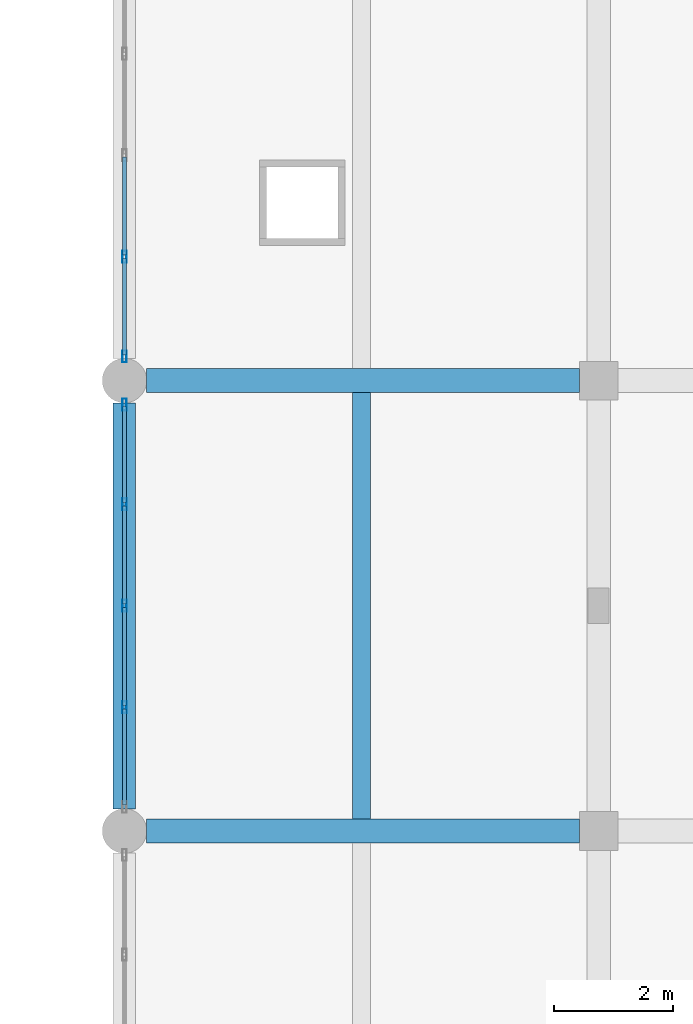
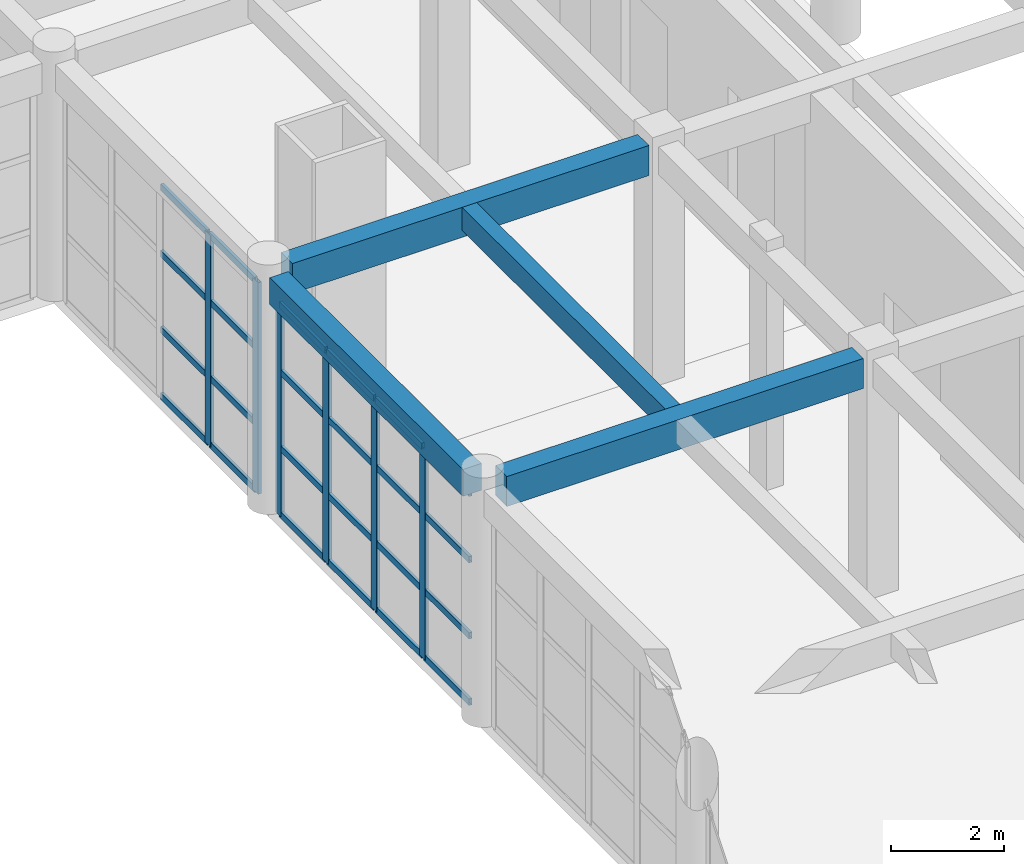
# One storey, part 52 of 95: 30 members, 4 beams, 2 elements without a shape of their own.
"""IFC4 building model written with IfcOpenShell, lengths in metres."""

import ifcopenshell
import ifcopenshell.guid

model = None  # the IFC model being written
_history = None  # IfcOwnerHistory: only IFC2X3 demands one
_inside = {}  # id of a spatial element -> (the spatial element, [elements in it])
_under = {}  # id of a project, library or spatial element -> (it, [spatial elements below it])
_declared = {}  # id of a project -> (the project, [libraries it declares])
_typed = {}  # id of a type object -> (the type object, [elements of that type])
_made_of = {}  # id of a material, layer set ... -> (it, [elements and type objects made of it])


def new_model(schema):
    """Start an empty IFC model of exactly this schema.

    Asked for "IFC4X3", IfcOpenShell would pick the latest addendum, in which some entities
    have other attributes; the version numbers below select the first issue.
    IFC2X3 requires an IfcOwnerHistory on every rooted entity: one is made here for all.
    """
    global model, _history
    if schema == "IFC4X3":
        model = ifcopenshell.file(schema_version=(4, 3, 0, 0))
    else:
        model = ifcopenshell.file(schema=schema)
    _inside.clear()
    _under.clear()
    _declared.clear()
    _typed.clear()
    _made_of.clear()
    _history = None
    if model.schema == "IFC2X3":
        org = make("IfcOrganization", Name="unknown")
        user = make(
            "IfcPersonAndOrganization",
            ThePerson=make("IfcPerson", FamilyName="unknown"),
            TheOrganization=org,
        )
        app = make(
            "IfcApplication",
            ApplicationDeveloper=org,
            Version="unknown",
            ApplicationFullName="unknown",
            ApplicationIdentifier="unknown",
        )
        _history = make(
            "IfcOwnerHistory",
            OwningUser=user,
            OwningApplication=app,
            ChangeAction="ADDED",
            CreationDate=0,
        )
    return model


def make(cls, **values):
    """One entity of the class cls with the attributes given. An attribute that is None is left unset."""
    return model.create_entity(
        cls, **{name: value for name, value in values.items() if value is not None}
    )


def rooted(cls, **values):
    """An entity with a GlobalId (a new one), such as an element, a storey or a relation."""
    return make(cls, GlobalId=ifcopenshell.guid.new(), OwnerHistory=_history, **values)


def si_unit(unit_type, name, prefix=None):
    """IfcSIUnit, for example si_unit("LENGTHUNIT", "METRE", prefix="MILLI")."""
    return make("IfcSIUnit", UnitType=unit_type, Prefix=prefix, Name=name)


def assignment(units):
    """IfcUnitAssignment: the units of a project."""
    return None if units is None else make("IfcUnitAssignment", Units=units)


def point(xyz):
    """IfcCartesianPoint."""
    return None if xyz is None else make("IfcCartesianPoint", Coordinates=xyz)


def direction(xyz):
    """IfcDirection."""
    return None if xyz is None else make("IfcDirection", DirectionRatios=xyz)


def frame(location, z_axis=None, x_axis=None):
    """IfcAxis2Placement3D, a coordinate frame: its origin and axes. An axis left out is left unset."""
    return make(
        "IfcAxis2Placement3D",
        Location=point(location),
        Axis=direction(z_axis),
        RefDirection=direction(x_axis),
    )


def frame_2d(location, x_axis=None):
    """IfcAxis2Placement2D, a coordinate frame in the plane: its origin and x axis."""
    return make(
        "IfcAxis2Placement2D", Location=point(location), RefDirection=direction(x_axis)
    )


def origin():
    """The frame at (0, 0, 0) with its axes left unset."""
    return frame((0.0, 0.0, 0.0))


def origin_2d():
    """The frame at (0, 0) in the plane with its x axis left unset."""
    return frame_2d((0.0, 0.0))


def place(relative_to, where):
    """IfcLocalPlacement: puts the frame where relative to a parent placement (None: the world)."""
    return make(
        "IfcLocalPlacement", PlacementRelTo=relative_to, RelativePlacement=where
    )


def context(
    kind, dimensions, precision=None, world=None, true_north=None, identifier=None
):
    """IfcGeometricRepresentationContext, for example the 3D "Model" context."""
    return make(
        "IfcGeometricRepresentationContext",
        ContextIdentifier=identifier,
        ContextType=kind,
        CoordinateSpaceDimension=dimensions,
        Precision=precision,
        WorldCoordinateSystem=world,
        TrueNorth=true_north,
    )


def subcontext(parent, identifier, kind, view, scale=None):
    """IfcGeometricRepresentationSubContext, for example "Body" below "Model"."""
    return make(
        "IfcGeometricRepresentationSubContext",
        ContextIdentifier=identifier,
        ContextType=kind,
        ParentContext=parent,
        TargetScale=scale,
        TargetView=view,
    )


def project(units=None, contexts=None):
    """IfcProject with its units and contexts."""
    return rooted(
        "IfcProject",
        Name="project",
        RepresentationContexts=contexts,
        UnitsInContext=assignment(units),
    )


def spatial(cls, under=None, at=None, **own):
    """A site, building, storey or space (cls), placed at a placement, below another one or the project."""
    s = rooted(cls, ObjectPlacement=at, **own)
    if under is not None:
        _under.setdefault(under.id(), (under, []))[1].append(s)
    return s


def profile(cls, at=None, kind="AREA", **sizes):
    """A parametric profile (cls). Its sizes go by their IFC names, for example OverallWidth=200.0."""
    return make(cls, ProfileType=kind, Position=at, **sizes)


def rectangle(**sizes):
    """IfcRectangleProfileDef."""
    return profile("IfcRectangleProfileDef", **sizes)


def hollow_rectangle(**sizes):
    """IfcRectangleHollowProfileDef."""
    return profile("IfcRectangleHollowProfileDef", **sizes)


def extrude(swept, where, along, depth):
    """IfcExtrudedAreaSolid: the profile swept, set in the frame where, extruded along a direction by depth."""
    return make(
        "IfcExtrudedAreaSolid",
        SweptArea=swept,
        Position=where,
        ExtrudedDirection=direction(along),
        Depth=depth,
    )


def shape(context_of_items, identifier, shape_type, items):
    """IfcShapeRepresentation: the items that make up one representation, for example the "Body"."""
    return make(
        "IfcShapeRepresentation",
        ContextOfItems=context_of_items,
        RepresentationIdentifier=identifier,
        RepresentationType=shape_type,
        Items=items,
    )


def material(Name=None, Category=None):
    """IfcMaterial."""
    return make("IfcMaterial", Name=Name, Category=Category)


def material_profile(
    of_material, cross_section, Name=None, Category=None, Priority=None
):
    """IfcMaterialProfile: a cross section and its material."""
    return make(
        "IfcMaterialProfile",
        Name=Name,
        Material=of_material,
        Profile=cross_section,
        Priority=Priority,
        Category=Category,
    )


def profile_set(profiles, Name=None, composite=None):
    """IfcMaterialProfileSet."""
    return make(
        "IfcMaterialProfileSet",
        Name=Name,
        MaterialProfiles=profiles,
        CompositeProfile=composite,
    )


def made_of(thing, what):
    """Note that an element or type object is made of a material, layer set ...; save() writes the relation."""
    if what is not None:
        _made_of.setdefault(what.id(), (what, []))[1].append(thing)
    return thing


def type_object(cls, material=None, **own):
    """A type object (cls), such as IfcWallType, which elements share."""
    return made_of(rooted(cls, **own), material)


def element(
    cls,
    number,
    at=None,
    inside=None,
    cuts=None,
    type_object=None,
    material=None,
    context=None,
    identifier="Body",
    shape_type=None,
    held_by="IfcProductDefinitionShape",
    body=None,
    shapes=None,
    **own,
):
    """One element of the class cls, such as IfcWall. Its Tag is "e" and its number.

    at: its placement. inside: the storey or other place that contains it. cuts: it is an
    opening in that element (IfcRelVoidsElement). A single representation is given by context,
    identifier, shape_type and body (its items); several are given by shapes. held_by: the class
    of the entity that holds the representations. save() writes the other relations.
    """
    e = rooted(cls, Tag="e%d" % number, ObjectPlacement=at, **own)
    if body is not None:
        shapes = [shape(context, identifier, shape_type, body)]
    if shapes is not None:
        e.Representation = make(held_by, Representations=shapes)
    if inside is not None:
        _inside.setdefault(inside.id(), (inside, []))[1].append(e)
    if cuts is not None:
        rooted(
            "IfcRelVoidsElement", RelatingBuildingElement=cuts, RelatedOpeningElement=e
        )
    if type_object is not None:
        _typed.setdefault(type_object.id(), (type_object, []))[1].append(e)
    return made_of(e, material)


def aggregate(whole, parts):
    """IfcRelAggregates: a whole, such as a stair, and the parts it consists of."""
    return rooted("IfcRelAggregates", RelatingObject=whole, RelatedObjects=parts)


def save(model, path):
    """Write the relations noted so far, then the file.

    IfcRelAggregates (storeys below a building ...), IfcRelContainedInSpatialStructure (elements
    in a storey), IfcRelDefinesByType, IfcRelAssociatesMaterial and IfcRelDeclares: one each for
    every whole, place, type object, material and project.
    """
    for whole, parts in _under.values():
        aggregate(whole, parts)
    for where, things in _inside.values():
        rooted(
            "IfcRelContainedInSpatialStructure",
            RelatedElements=things,
            RelatingStructure=where,
        )
    for kind, things in _typed.values():
        rooted("IfcRelDefinesByType", RelatedObjects=things, RelatingType=kind)
    for what, things in _made_of.values():
        rooted("IfcRelAssociatesMaterial", RelatedObjects=things, RelatingMaterial=what)
    for by, libraries in _declared.values():
        rooted("IfcRelDeclares", RelatingContext=by, RelatedDefinitions=libraries)
    model.write(path)


model = new_model("IFC4")

# Units and contexts
model_context = context("Model", 3, precision=1e-05, world=origin(), true_north=direction((0.0, 1.0)))
body_context = subcontext(model_context, "Body", "Model", "MODEL_VIEW")
ifc_project = project(units=[si_unit("LENGTHUNIT", "METRE"), si_unit("AREAUNIT", "SQUARE_METRE"), si_unit("VOLUMEUNIT", "CUBIC_METRE"), si_unit("PLANEANGLEUNIT", "RADIAN"), si_unit("MASSUNIT", "GRAM", prefix="KILO")], contexts=[model_context])

# Site, building, storey
site_placement = place(None, origin())
site = spatial("IfcSite", under=ifc_project, at=site_placement, CompositionType="ELEMENT")
building_placement = place(site_placement, origin())
building = spatial("IfcBuilding", under=site, at=building_placement, Name="Zantavel Square City Hall", CompositionType="ELEMENT")
storey_placement = place(building_placement, origin())
storey = spatial("IfcBuildingStorey", under=building, at=storey_placement, Name="L01", CompositionType="ELEMENT", Elevation=0.0)

# Beam
ifc_material_1 = material(Name="Concrete C35/45", Category="concrete")
ifc_material_profile_1 = material_profile(ifc_material_1, rectangle(XDim=0.3798828125, YDim=0.580078125, at=origin_2d()), Name="RC 380x580")
ifc_profile_set_1 = profile_set([ifc_material_profile_1], Name="Concrete C35/45")
beam_type_1 = type_object("IfcBeamType", Name="Annex Secondary Beam RC 380x580 C35/45", PredefinedType="BEAM", material=ifc_profile_set_1)
beam_1_placement = place(storey_placement, frame((152.0, 53.574951171875, 4.8701171875), z_axis=(0.0, 1.0, 0.0), x_axis=(-1.0, 0.0, 0.0)))
element("IfcBeam", 1, at=beam_1_placement, inside=storey, type_object=beam_type_1, Name="L01 Beam BMY-L01-1520-0532", PredefinedType="BEAM", context=body_context, shape_type="SweptSolid", body=[
    extrude(rectangle(XDim=0.3798828125, YDim=0.580078125, at=origin_2d()), origin(), (0.0, 0.0, 1.0), 6.85009765625),
])

# Curtain wall, members
ifc_material_2 = material(Name="Anodised aluminium 6063-T6", Category="aluminium")
curtain_wall_type = type_object("IfcCurtainWallType", Name="Curtain Wall CRT 6850x4580", PredefinedType="USERDEFINED", material=ifc_material_2)
curtain_wall_1_placement = place(storey_placement, origin())
curtain_wall_1 = element("IfcCurtainWall", 2, at=curtain_wall_1_placement, inside=storey, type_object=curtain_wall_type, Name="L01 Glazed Curtain Wall CW-L01-033", ObjectType="GLAZED CURTAIN WALL", PredefinedType="USERDEFINED")
ifc_material_profile_2 = material_profile(ifc_material_2, hollow_rectangle(XDim=0.070068359375, YDim=0.199951171875, WallThickness=0.00439453125, at=origin_2d()), Name="ALU 70x200x4.5")
ifc_profile_set_2 = profile_set([ifc_material_profile_2], Name="Anodised aluminium 6063-T6")
member_type_1 = type_object("IfcMemberType", Name="CW Heavy Hall Mullion ALU 70x200x4.5", PredefinedType="MULLION", material=ifc_profile_set_2)
member_1_placement = place(storey_placement, frame((152.0, 55.28759765625, 0.0), z_axis=(0.0, 0.0, 1.0), x_axis=(-1.0, 0.0, 0.0)))
member_1 = element("IfcMember", 3, at=member_1_placement, type_object=member_type_1, Name="CW-033 mullion 2", PredefinedType="MULLION", context=body_context, shape_type="SweptSolid", body=[
    extrude(hollow_rectangle(XDim=0.070068359375, YDim=0.199951171875, WallThickness=0.00439453125, at=origin_2d()), origin(), (0.0, 0.0, 1.0), 4.580078125),
])
member_2_placement = place(storey_placement, frame((152.0, 57.0, 0.0), z_axis=(0.0, 0.0, 1.0), x_axis=(-1.0, 0.0, 0.0)))
member_2 = element("IfcMember", 4, at=member_2_placement, type_object=member_type_1, Name="CW-033 mullion 3", PredefinedType="MULLION", context=body_context, shape_type="SweptSolid", body=[
    extrude(hollow_rectangle(XDim=0.070068359375, YDim=0.199951171875, WallThickness=0.00439453125, at=origin_2d()), origin(), (0.0, 0.0, 1.0), 4.580078125),
])
member_3_placement = place(storey_placement, frame((152.0, 58.71240234375, 0.0), z_axis=(0.0, 0.0, 1.0), x_axis=(-1.0, 0.0, 0.0)))
member_3 = element("IfcMember", 5, at=member_3_placement, type_object=member_type_1, Name="CW-033 mullion 4", PredefinedType="MULLION", context=body_context, shape_type="SweptSolid", body=[
    extrude(hollow_rectangle(XDim=0.070068359375, YDim=0.199951171875, WallThickness=0.00439453125, at=origin_2d()), origin(), (0.0, 0.0, 1.0), 4.580078125),
])
member_4_placement = place(storey_placement, frame((152.0, 60.39501953125, 0.0), z_axis=(0.0, 0.0, 1.0), x_axis=(-1.0, 0.0, 0.0)))
member_4 = element("IfcMember", 6, at=member_4_placement, type_object=member_type_1, Name="CW-033 mullion 5", PredefinedType="MULLION", context=body_context, shape_type="SweptSolid", body=[
    extrude(hollow_rectangle(XDim=0.070068359375, YDim=0.199951171875, WallThickness=0.00439453125, at=origin_2d()), origin(), (0.0, 0.0, 1.0), 4.580078125),
])

curtain_wall_2_placement = place(storey_placement, origin())
curtain_wall_2 = element("IfcCurtainWall", 7, at=curtain_wall_2_placement, inside=storey, type_object=curtain_wall_type, Name="L01 Glazed Curtain Wall CW-L01-034", ObjectType="GLAZED CURTAIN WALL", PredefinedType="USERDEFINED")
member_5_placement = place(storey_placement, frame((152.0, 61.205078125, 0.0), z_axis=(0.0, 0.0, 1.0), x_axis=(-1.0, 0.0, 0.0)))
member_5 = element("IfcMember", 8, at=member_5_placement, type_object=member_type_1, Name="CW-034 mullion 1", PredefinedType="MULLION", context=body_context, shape_type="SweptSolid", body=[
    extrude(hollow_rectangle(XDim=0.070068359375, YDim=0.199951171875, WallThickness=0.00439453125, at=origin_2d()), origin(), (0.0, 0.0, 1.0), 4.580078125),
])
member_6_placement = place(storey_placement, frame((152.0, 62.887451171875, 0.0), z_axis=(0.0, 0.0, 1.0), x_axis=(-1.0, 0.0, 0.0)))
member_6 = element("IfcMember", 9, at=member_6_placement, type_object=member_type_1, Name="CW-034 mullion 2", PredefinedType="MULLION", context=body_context, shape_type="SweptSolid", body=[
    extrude(hollow_rectangle(XDim=0.070068359375, YDim=0.199951171875, WallThickness=0.00439453125, at=origin_2d()), origin(), (0.0, 0.0, 1.0), 4.580078125),
])

# Member
ifc_material_profile_3 = material_profile(ifc_material_2, hollow_rectangle(XDim=0.06005859375, YDim=0.139892578125, WallThickness=0.00390625, at=origin_2d()), Name="ALU 60x140x4")
ifc_profile_set_3 = profile_set([ifc_material_profile_3], Name="Anodised aluminium 6063-T6")
member_type_2 = type_object("IfcMemberType", Name="CW Transom ALU 60x140x4", PredefinedType="USERDEFINED", material=ifc_profile_set_3)
member_7_placement = place(storey_placement, frame((152.0, 53.635009765625, 0.030029296875), z_axis=(0.0, 1.0, 0.0), x_axis=(-1.0, 0.0, 0.0)))
member_7 = element("IfcMember", 10, at=member_7_placement, type_object=member_type_2, Name="CW-033 transom 1.1", ObjectType="TRANSOM", PredefinedType="USERDEFINED", context=body_context, shape_type="SweptSolid", body=[
    extrude(hollow_rectangle(XDim=0.06005859375, YDim=0.139892578125, WallThickness=0.00390625, at=origin_2d()), origin(), (0.0, 0.0, 1.0), 1.62255859375),
])

member_8_placement = place(storey_placement, frame((152.0, 53.635009765625, 1.466064453125), z_axis=(0.0, 1.0, 0.0), x_axis=(-1.0, 0.0, 0.0)))
member_8 = element("IfcMember", 11, at=member_8_placement, type_object=member_type_2, Name="CW-033 transom 1.2", ObjectType="TRANSOM", PredefinedType="USERDEFINED", context=body_context, shape_type="SweptSolid", body=[
    extrude(hollow_rectangle(XDim=0.06005859375, YDim=0.139892578125, WallThickness=0.00390625, at=origin_2d()), origin(), (0.0, 0.0, 1.0), 1.62255859375),
])

member_9_placement = place(storey_placement, frame((152.0, 53.635009765625, 3.114013671875), z_axis=(0.0, 1.0, 0.0), x_axis=(-1.0, 0.0, 0.0)))
member_9 = element("IfcMember", 12, at=member_9_placement, type_object=member_type_2, Name="CW-033 transom 1.3", ObjectType="TRANSOM", PredefinedType="USERDEFINED", context=body_context, shape_type="SweptSolid", body=[
    extrude(hollow_rectangle(XDim=0.06005859375, YDim=0.139892578125, WallThickness=0.00390625, at=origin_2d()), origin(), (0.0, 0.0, 1.0), 1.62255859375),
])

member_10_placement = place(storey_placement, frame((152.0, 53.635009765625, 4.550048828125), z_axis=(0.0, 1.0, 0.0), x_axis=(-1.0, 0.0, 0.0)))
member_10 = element("IfcMember", 13, at=member_10_placement, type_object=member_type_2, Name="CW-033 transom 1.4", ObjectType="TRANSOM", PredefinedType="USERDEFINED", context=body_context, shape_type="SweptSolid", body=[
    extrude(hollow_rectangle(XDim=0.06005859375, YDim=0.139892578125, WallThickness=0.00390625, at=origin_2d()), origin(), (0.0, 0.0, 1.0), 1.62255859375),
])

member_11_placement = place(storey_placement, frame((152.0, 55.3173828125, 0.030029296875), z_axis=(0.0, 1.0, 0.0), x_axis=(-1.0, 0.0, 0.0)))
member_11 = element("IfcMember", 14, at=member_11_placement, type_object=member_type_2, Name="CW-033 transom 2.1", ObjectType="TRANSOM", PredefinedType="USERDEFINED", context=body_context, shape_type="SweptSolid", body=[
    extrude(hollow_rectangle(XDim=0.06005859375, YDim=0.139892578125, WallThickness=0.00390625, at=origin_2d()), origin(), (0.0, 0.0, 1.0), 1.652587890625),
])

member_12_placement = place(storey_placement, frame((152.0, 55.3173828125, 1.466064453125), z_axis=(0.0, 1.0, 0.0), x_axis=(-1.0, 0.0, 0.0)))
member_12 = element("IfcMember", 15, at=member_12_placement, type_object=member_type_2, Name="CW-033 transom 2.2", ObjectType="TRANSOM", PredefinedType="USERDEFINED", context=body_context, shape_type="SweptSolid", body=[
    extrude(hollow_rectangle(XDim=0.06005859375, YDim=0.139892578125, WallThickness=0.00390625, at=origin_2d()), origin(), (0.0, 0.0, 1.0), 1.652587890625),
])

member_13_placement = place(storey_placement, frame((152.0, 55.3173828125, 3.114013671875), z_axis=(0.0, 1.0, 0.0), x_axis=(-1.0, 0.0, 0.0)))
member_13 = element("IfcMember", 16, at=member_13_placement, type_object=member_type_2, Name="CW-033 transom 2.3", ObjectType="TRANSOM", PredefinedType="USERDEFINED", context=body_context, shape_type="SweptSolid", body=[
    extrude(hollow_rectangle(XDim=0.06005859375, YDim=0.139892578125, WallThickness=0.00390625, at=origin_2d()), origin(), (0.0, 0.0, 1.0), 1.652587890625),
])

member_14_placement = place(storey_placement, frame((152.0, 55.3173828125, 4.550048828125), z_axis=(0.0, 1.0, 0.0), x_axis=(-1.0, 0.0, 0.0)))
member_14 = element("IfcMember", 17, at=member_14_placement, type_object=member_type_2, Name="CW-033 transom 2.4", ObjectType="TRANSOM", PredefinedType="USERDEFINED", context=body_context, shape_type="SweptSolid", body=[
    extrude(hollow_rectangle(XDim=0.06005859375, YDim=0.139892578125, WallThickness=0.00390625, at=origin_2d()), origin(), (0.0, 0.0, 1.0), 1.652587890625),
])

member_15_placement = place(storey_placement, frame((152.0, 57.030029296875, 0.030029296875), z_axis=(0.0, 1.0, 0.0), x_axis=(-1.0, 0.0, 0.0)))
member_15 = element("IfcMember", 18, at=member_15_placement, type_object=member_type_2, Name="CW-033 transom 3.1", ObjectType="TRANSOM", PredefinedType="USERDEFINED", context=body_context, shape_type="SweptSolid", body=[
    extrude(hollow_rectangle(XDim=0.06005859375, YDim=0.139892578125, WallThickness=0.00390625, at=origin_2d()), origin(), (0.0, 0.0, 1.0), 1.652587890625),
])

member_16_placement = place(storey_placement, frame((152.0, 57.030029296875, 1.466064453125), z_axis=(0.0, 1.0, 0.0), x_axis=(-1.0, 0.0, 0.0)))
member_16 = element("IfcMember", 19, at=member_16_placement, type_object=member_type_2, Name="CW-033 transom 3.2", ObjectType="TRANSOM", PredefinedType="USERDEFINED", context=body_context, shape_type="SweptSolid", body=[
    extrude(hollow_rectangle(XDim=0.06005859375, YDim=0.139892578125, WallThickness=0.00390625, at=origin_2d()), origin(), (0.0, 0.0, 1.0), 1.652587890625),
])

member_17_placement = place(storey_placement, frame((152.0, 57.030029296875, 3.114013671875), z_axis=(0.0, 1.0, 0.0), x_axis=(-1.0, 0.0, 0.0)))
member_17 = element("IfcMember", 20, at=member_17_placement, type_object=member_type_2, Name="CW-033 transom 3.3", ObjectType="TRANSOM", PredefinedType="USERDEFINED", context=body_context, shape_type="SweptSolid", body=[
    extrude(hollow_rectangle(XDim=0.06005859375, YDim=0.139892578125, WallThickness=0.00390625, at=origin_2d()), origin(), (0.0, 0.0, 1.0), 1.652587890625),
])

member_18_placement = place(storey_placement, frame((152.0, 57.030029296875, 4.550048828125), z_axis=(0.0, 1.0, 0.0), x_axis=(-1.0, 0.0, 0.0)))
member_18 = element("IfcMember", 21, at=member_18_placement, type_object=member_type_2, Name="CW-033 transom 3.4", ObjectType="TRANSOM", PredefinedType="USERDEFINED", context=body_context, shape_type="SweptSolid", body=[
    extrude(hollow_rectangle(XDim=0.06005859375, YDim=0.139892578125, WallThickness=0.00390625, at=origin_2d()), origin(), (0.0, 0.0, 1.0), 1.652587890625),
])

member_19_placement = place(storey_placement, frame((152.0, 58.742431640625, 0.030029296875), z_axis=(0.0, 1.0, 0.0), x_axis=(-1.0, 0.0, 0.0)))
member_19 = element("IfcMember", 22, at=member_19_placement, type_object=member_type_2, Name="CW-033 transom 4.1", ObjectType="TRANSOM", PredefinedType="USERDEFINED", context=body_context, shape_type="SweptSolid", body=[
    extrude(hollow_rectangle(XDim=0.06005859375, YDim=0.139892578125, WallThickness=0.00390625, at=origin_2d()), origin(), (0.0, 0.0, 1.0), 1.62255859375),
])

member_20_placement = place(storey_placement, frame((152.0, 58.742431640625, 1.466064453125), z_axis=(0.0, 1.0, 0.0), x_axis=(-1.0, 0.0, 0.0)))
member_20 = element("IfcMember", 23, at=member_20_placement, type_object=member_type_2, Name="CW-033 transom 4.2", ObjectType="TRANSOM", PredefinedType="USERDEFINED", context=body_context, shape_type="SweptSolid", body=[
    extrude(hollow_rectangle(XDim=0.06005859375, YDim=0.139892578125, WallThickness=0.00390625, at=origin_2d()), origin(), (0.0, 0.0, 1.0), 1.62255859375),
])

member_21_placement = place(storey_placement, frame((152.0, 58.742431640625, 3.114013671875), z_axis=(0.0, 1.0, 0.0), x_axis=(-1.0, 0.0, 0.0)))
member_21 = element("IfcMember", 24, at=member_21_placement, type_object=member_type_2, Name="CW-033 transom 4.3", ObjectType="TRANSOM", PredefinedType="USERDEFINED", context=body_context, shape_type="SweptSolid", body=[
    extrude(hollow_rectangle(XDim=0.06005859375, YDim=0.139892578125, WallThickness=0.00390625, at=origin_2d()), origin(), (0.0, 0.0, 1.0), 1.62255859375),
])

member_22_placement = place(storey_placement, frame((152.0, 58.742431640625, 4.550048828125), z_axis=(0.0, 1.0, 0.0), x_axis=(-1.0, 0.0, 0.0)))
member_22 = element("IfcMember", 25, at=member_22_placement, type_object=member_type_2, Name="CW-033 transom 4.4", ObjectType="TRANSOM", PredefinedType="USERDEFINED", context=body_context, shape_type="SweptSolid", body=[
    extrude(hollow_rectangle(XDim=0.06005859375, YDim=0.139892578125, WallThickness=0.00390625, at=origin_2d()), origin(), (0.0, 0.0, 1.0), 1.62255859375),
])

aggregate(curtain_wall_1, [member_1, member_2, member_3, member_4, member_7, member_8, member_9, member_10, member_11, member_12, member_13, member_14, member_15, member_16, member_17, member_18, member_19, member_20, member_21, member_22])

member_23_placement = place(storey_placement, frame((152.0, 61.235107421875, 0.030029296875), z_axis=(0.0, 1.0, 0.0), x_axis=(-1.0, 0.0, 0.0)))
member_23 = element("IfcMember", 26, at=member_23_placement, type_object=member_type_2, Name="CW-034 transom 1.1", ObjectType="TRANSOM", PredefinedType="USERDEFINED", context=body_context, shape_type="SweptSolid", body=[
    extrude(hollow_rectangle(XDim=0.06005859375, YDim=0.139892578125, WallThickness=0.00390625, at=origin_2d()), origin(), (0.0, 0.0, 1.0), 1.622314453125),
])

member_24_placement = place(storey_placement, frame((152.0, 61.235107421875, 1.466064453125), z_axis=(0.0, 1.0, 0.0), x_axis=(-1.0, 0.0, 0.0)))
member_24 = element("IfcMember", 27, at=member_24_placement, type_object=member_type_2, Name="CW-034 transom 1.2", ObjectType="TRANSOM", PredefinedType="USERDEFINED", context=body_context, shape_type="SweptSolid", body=[
    extrude(hollow_rectangle(XDim=0.06005859375, YDim=0.139892578125, WallThickness=0.00390625, at=origin_2d()), origin(), (0.0, 0.0, 1.0), 1.622314453125),
])

member_25_placement = place(storey_placement, frame((152.0, 61.235107421875, 3.114013671875), z_axis=(0.0, 1.0, 0.0), x_axis=(-1.0, 0.0, 0.0)))
member_25 = element("IfcMember", 28, at=member_25_placement, type_object=member_type_2, Name="CW-034 transom 1.3", ObjectType="TRANSOM", PredefinedType="USERDEFINED", context=body_context, shape_type="SweptSolid", body=[
    extrude(hollow_rectangle(XDim=0.06005859375, YDim=0.139892578125, WallThickness=0.00390625, at=origin_2d()), origin(), (0.0, 0.0, 1.0), 1.622314453125),
])

member_26_placement = place(storey_placement, frame((152.0, 61.235107421875, 4.550048828125), z_axis=(0.0, 1.0, 0.0), x_axis=(-1.0, 0.0, 0.0)))
member_26 = element("IfcMember", 29, at=member_26_placement, type_object=member_type_2, Name="CW-034 transom 1.4", ObjectType="TRANSOM", PredefinedType="USERDEFINED", context=body_context, shape_type="SweptSolid", body=[
    extrude(hollow_rectangle(XDim=0.06005859375, YDim=0.139892578125, WallThickness=0.00390625, at=origin_2d()), origin(), (0.0, 0.0, 1.0), 1.622314453125),
])

member_27_placement = place(storey_placement, frame((152.0, 62.91748046875, 0.030029296875), z_axis=(0.0, 1.0, 0.0), x_axis=(-1.0, 0.0, 0.0)))
member_27 = element("IfcMember", 30, at=member_27_placement, type_object=member_type_2, Name="CW-034 transom 2.1", ObjectType="TRANSOM", PredefinedType="USERDEFINED", context=body_context, shape_type="SweptSolid", body=[
    extrude(hollow_rectangle(XDim=0.06005859375, YDim=0.139892578125, WallThickness=0.00390625, at=origin_2d()), origin(), (0.0, 0.0, 1.0), 1.652587890625),
])

member_28_placement = place(storey_placement, frame((152.0, 62.91748046875, 1.466064453125), z_axis=(0.0, 1.0, 0.0), x_axis=(-1.0, 0.0, 0.0)))
member_28 = element("IfcMember", 31, at=member_28_placement, type_object=member_type_2, Name="CW-034 transom 2.2", ObjectType="TRANSOM", PredefinedType="USERDEFINED", context=body_context, shape_type="SweptSolid", body=[
    extrude(hollow_rectangle(XDim=0.06005859375, YDim=0.139892578125, WallThickness=0.00390625, at=origin_2d()), origin(), (0.0, 0.0, 1.0), 1.652587890625),
])

member_29_placement = place(storey_placement, frame((152.0, 62.91748046875, 3.114013671875), z_axis=(0.0, 1.0, 0.0), x_axis=(-1.0, 0.0, 0.0)))
member_29 = element("IfcMember", 32, at=member_29_placement, type_object=member_type_2, Name="CW-034 transom 2.3", ObjectType="TRANSOM", PredefinedType="USERDEFINED", context=body_context, shape_type="SweptSolid", body=[
    extrude(hollow_rectangle(XDim=0.06005859375, YDim=0.139892578125, WallThickness=0.00390625, at=origin_2d()), origin(), (0.0, 0.0, 1.0), 1.652587890625),
])

member_30_placement = place(storey_placement, frame((152.0, 62.91748046875, 4.550048828125), z_axis=(0.0, 1.0, 0.0), x_axis=(-1.0, 0.0, 0.0)))
member_30 = element("IfcMember", 33, at=member_30_placement, type_object=member_type_2, Name="CW-034 transom 2.4", ObjectType="TRANSOM", PredefinedType="USERDEFINED", context=body_context, shape_type="SweptSolid", body=[
    extrude(hollow_rectangle(XDim=0.06005859375, YDim=0.139892578125, WallThickness=0.00390625, at=origin_2d()), origin(), (0.0, 0.0, 1.0), 1.652587890625),
])

aggregate(curtain_wall_2, [member_5, member_6, member_23, member_24, member_25, member_26, member_27, member_28, member_29, member_30])

# Beams
ifc_material_profile_4 = material_profile(ifc_material_1, rectangle(XDim=0.300048828125, YDim=0.5, at=origin_2d()), Name="RC 300x500")
ifc_profile_set_4 = profile_set([ifc_material_profile_4], Name="Concrete C35/45")
beam_type_2 = type_object("IfcBeamType", Name="Floor Joist RC 300x500 C35/45", PredefinedType="JOIST", material=ifc_profile_set_4)
beam_2_placement = place(storey_placement, frame((156.0, 53.39990234375, 4.909912109375), z_axis=(0.0, 1.0, 0.0), x_axis=(-1.0, 0.0, 0.0)))
element("IfcBeam", 34, at=beam_2_placement, inside=storey, type_object=beam_type_2, Name="L01 Floor Joist JST-L01-1560-0532", PredefinedType="JOIST", context=body_context, shape_type="SweptSolid", body=[
    extrude(rectangle(XDim=0.300048828125, YDim=0.5, at=origin_2d()), origin(), (0.0, 0.0, 1.0), 7.2001953125),
])
ifc_material_profile_5 = material_profile(ifc_material_1, rectangle(XDim=0.39990234375, YDim=0.64990234375, at=origin_2d()), Name="RC 400x650")
ifc_profile_set_5 = profile_set([ifc_material_profile_5], Name="Concrete C35/45")
beam_type_3 = type_object("IfcBeamType", Name="Frame Beam RC 400x650 C35/45", PredefinedType="BEAM", material=ifc_profile_set_5)
for number, where, z_axis, x_axis, name in (
    (35, (152.375, 53.199951171875, 4.8349609375), (1.0, 0.0, 0.0), (0.0, 1.0, 0.0), "L01 Girder BMX-L01-1520-0532"),
    (36, (152.375, 60.800048828125, 4.8349609375), (1.0, 0.0, 0.0), (0.0, 1.0, 0.0), "L01 Girder BMX-L01-1520-0608"),
):
    element("IfcBeam", number, at=place(storey_placement, frame(where, z_axis=z_axis, x_axis=x_axis)), inside=storey, type_object=beam_type_3, Name=name, PredefinedType="BEAM", context=body_context, shape_type="SweptSolid", body=[
        extrude(rectangle(XDim=0.39990234375, YDim=0.64990234375, at=origin_2d()), origin(), (0.0, 0.0, 1.0), 7.300048828125),
    ])

save(model, "model.ifc")
